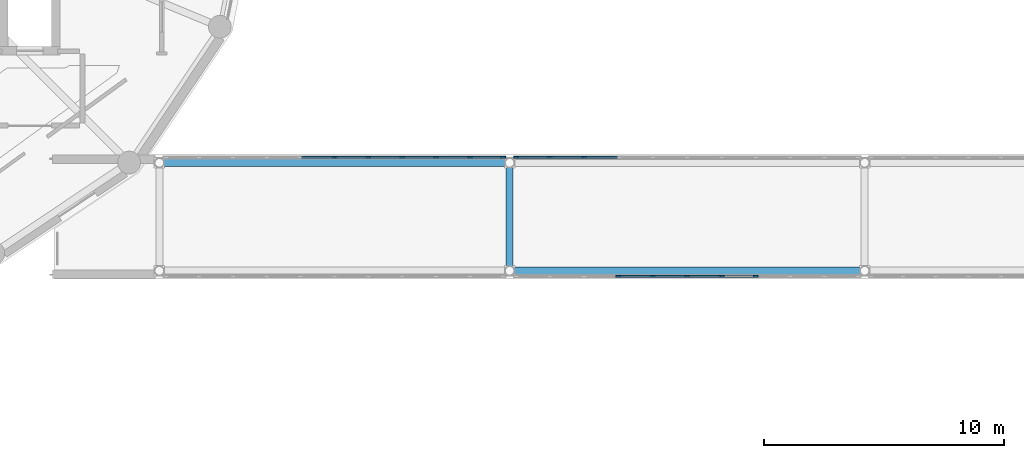
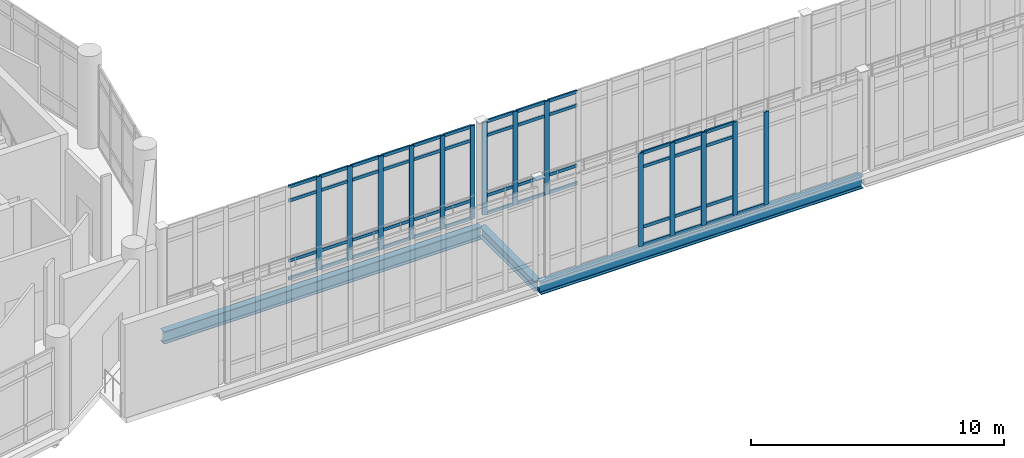
# One storey, part 20 of 89: 63 members, 3 beams, 3 elements without a shape of their own.
"""IFC4 building model written with IfcOpenShell, lengths in metres."""

from ifc_helpers import new_model, si_unit, direction, frame, origin, origin_2d, place, context, subcontext, project, spatial, rectangle, i_section, extrude, material, material_profile, profile_set, type_object, element, aggregate, save


model = new_model("IFC4")

# Units and contexts
model_context = context("Model", 3, precision=1e-05, world=origin(), true_north=direction((0.0, 1.0)))
body_context = subcontext(model_context, "Body", "Model", "MODEL_VIEW")
ifc_project = project(units=[si_unit("LENGTHUNIT", "METRE"), si_unit("AREAUNIT", "SQUARE_METRE"), si_unit("VOLUMEUNIT", "CUBIC_METRE"), si_unit("PLANEANGLEUNIT", "RADIAN"), si_unit("MASSUNIT", "GRAM", prefix="KILO")], contexts=[model_context])

# Site, building, storey
site_placement = place(None, origin())
site = spatial("IfcSite", under=ifc_project, at=site_placement, CompositionType="ELEMENT")
building_placement = place(site_placement, origin())
building = spatial("IfcBuilding", under=site, at=building_placement, Name="Soyqirgoq Riverine Aquarium", CompositionType="ELEMENT")
storey_placement = place(building_placement, frame((0.0, 0.0, 5.39990234375)))
storey = spatial("IfcBuildingStorey", under=building, at=storey_placement, Name="L02", CompositionType="ELEMENT", Elevation=5.39990234375)

# Curtain wall, members
ifc_material_1 = material(Name="Laminated solar-control bridge curtain wall", Category="aluminium")
curtain_wall_type = type_object("IfcCurtainWallType", Name="CW_Bridge_Concourse", PredefinedType="NOTDEFINED", material=ifc_material_1)
curtain_wall_1_placement = place(storey_placement, origin())
curtain_wall_1 = element("IfcCurtainWall", 1, at=curtain_wall_1_placement, inside=storey, type_object=curtain_wall_type, Name="BR-1 L02 Curtain Wall 136", PredefinedType="NOTDEFINED")
ifc_material_2 = material(Name="Anodised aluminium 6063-T6", Category="aluminium")
ifc_material_profile_1 = material_profile(ifc_material_2, rectangle(XDim=0.080078125, YDim=0.219970703125, at=origin_2d()), Name="ALU-M 80x220")
ifc_profile_set_1 = profile_set([ifc_material_profile_1], Name="Anodised aluminium 6063-T6")
member_type_1 = type_object("IfcMemberType", Name="CWMullion_80x220", PredefinedType="MULLION", material=ifc_profile_set_1)
member_1_placement = place(storey_placement, frame((88.736083984375, 39.919921875, 0.0), z_axis=(0.0, 0.0, 1.0), x_axis=(0.0, 1.0, 0.0)))
member_1 = element("IfcMember", 2, at=member_1_placement, type_object=member_type_1, Name="CW-06 mullion 4", PredefinedType="MULLION", context=body_context, shape_type="SweptSolid", body=[
    extrude(rectangle(XDim=0.080078125, YDim=0.219970703125, at=origin_2d()), origin(), (0.0, 0.0, 1.0), 4.5),
])
member_2_placement = place(storey_placement, frame((90.16796875, 39.919921875, 0.0), z_axis=(0.0, 0.0, 1.0), x_axis=(0.0, 1.0, 0.0)))
member_2 = element("IfcMember", 3, at=member_2_placement, type_object=member_type_1, Name="CW-06 mullion 5", PredefinedType="MULLION", context=body_context, shape_type="SweptSolid", body=[
    extrude(rectangle(XDim=0.080078125, YDim=0.219970703125, at=origin_2d()), origin(), (0.0, 0.0, 1.0), 4.5),
])
member_3_placement = place(storey_placement, frame((91.60009765625, 39.919921875, 0.0), z_axis=(0.0, 0.0, 1.0), x_axis=(0.0, 1.0, 0.0)))
member_3 = element("IfcMember", 4, at=member_3_placement, type_object=member_type_1, Name="CW-06 mullion 6", PredefinedType="MULLION", context=body_context, shape_type="SweptSolid", body=[
    extrude(rectangle(XDim=0.080078125, YDim=0.219970703125, at=origin_2d()), origin(), (0.0, 0.0, 1.0), 4.5),
])
member_4_placement = place(storey_placement, frame((93.031982421875, 39.919921875, 0.0), z_axis=(0.0, 0.0, 1.0), x_axis=(0.0, 1.0, 0.0)))
member_4 = element("IfcMember", 5, at=member_4_placement, type_object=member_type_1, Name="CW-06 mullion 7", PredefinedType="MULLION", context=body_context, shape_type="SweptSolid", body=[
    extrude(rectangle(XDim=0.080078125, YDim=0.219970703125, at=origin_2d()), origin(), (0.0, 0.0, 1.0), 4.5),
])
member_5_placement = place(storey_placement, frame((94.464111328125, 39.919921875, 0.0), z_axis=(0.0, 0.0, 1.0), x_axis=(0.0, 1.0, 0.0)))
member_5 = element("IfcMember", 6, at=member_5_placement, type_object=member_type_1, Name="CW-06 mullion 8", PredefinedType="MULLION", context=body_context, shape_type="SweptSolid", body=[
    extrude(rectangle(XDim=0.080078125, YDim=0.219970703125, at=origin_2d()), origin(), (0.0, 0.0, 1.0), 4.5),
])

curtain_wall_2_placement = place(storey_placement, origin())
curtain_wall_2 = element("IfcCurtainWall", 7, at=curtain_wall_2_placement, inside=storey, type_object=curtain_wall_type, Name="BR-1 L02 Curtain Wall 138", PredefinedType="NOTDEFINED")
member_6_placement = place(storey_placement, frame((76.89990234375, 44.8798828125, 0.0), z_axis=(0.0, 0.0, 1.0), x_axis=(0.0, 1.0, 0.0)))
member_6 = element("IfcMember", 8, at=member_6_placement, type_object=member_type_1, Name="CW-06 mullion 6", PredefinedType="MULLION", context=body_context, shape_type="SweptSolid", body=[
    extrude(rectangle(XDim=0.080078125, YDim=0.219970703125, at=origin_2d()), origin(), (0.0, 0.0, 1.0), 4.5),
])
member_7_placement = place(storey_placement, frame((78.31201171875, 44.8798828125, 0.0), z_axis=(0.0, 0.0, 1.0), x_axis=(0.0, 1.0, 0.0)))
member_7 = element("IfcMember", 9, at=member_7_placement, type_object=member_type_1, Name="CW-06 mullion 7", PredefinedType="MULLION", context=body_context, shape_type="SweptSolid", body=[
    extrude(rectangle(XDim=0.080078125, YDim=0.219970703125, at=origin_2d()), origin(), (0.0, 0.0, 1.0), 4.5),
])
member_8_placement = place(storey_placement, frame((79.72412109375, 44.8798828125, 0.0), z_axis=(0.0, 0.0, 1.0), x_axis=(0.0, 1.0, 0.0)))
member_8 = element("IfcMember", 10, at=member_8_placement, type_object=member_type_1, Name="CW-06 mullion 8", PredefinedType="MULLION", context=body_context, shape_type="SweptSolid", body=[
    extrude(rectangle(XDim=0.080078125, YDim=0.219970703125, at=origin_2d()), origin(), (0.0, 0.0, 1.0), 4.5),
])
member_9_placement = place(storey_placement, frame((81.135986328125, 44.8798828125, 0.0), z_axis=(0.0, 0.0, 1.0), x_axis=(0.0, 1.0, 0.0)))
member_9 = element("IfcMember", 11, at=member_9_placement, type_object=member_type_1, Name="CW-06 mullion 9", PredefinedType="MULLION", context=body_context, shape_type="SweptSolid", body=[
    extrude(rectangle(XDim=0.080078125, YDim=0.219970703125, at=origin_2d()), origin(), (0.0, 0.0, 1.0), 4.5),
])
member_10_placement = place(storey_placement, frame((82.548095703125, 44.8798828125, 0.0), z_axis=(0.0, 0.0, 1.0), x_axis=(0.0, 1.0, 0.0)))
member_10 = element("IfcMember", 12, at=member_10_placement, type_object=member_type_1, Name="CW-06 mullion 10", PredefinedType="MULLION", context=body_context, shape_type="SweptSolid", body=[
    extrude(rectangle(XDim=0.080078125, YDim=0.219970703125, at=origin_2d()), origin(), (0.0, 0.0, 1.0), 4.5),
])
member_11_placement = place(storey_placement, frame((83.919921875, 44.8798828125, 0.0), z_axis=(0.0, 0.0, 1.0), x_axis=(0.0, 1.0, 0.0)))
member_11 = element("IfcMember", 13, at=member_11_placement, type_object=member_type_1, Name="CW-06 mullion 11", PredefinedType="MULLION", context=body_context, shape_type="SweptSolid", body=[
    extrude(rectangle(XDim=0.080078125, YDim=0.219970703125, at=origin_2d()), origin(), (0.0, 0.0, 1.0), 4.5),
])

curtain_wall_3_placement = place(storey_placement, origin())
curtain_wall_3 = element("IfcCurtainWall", 14, at=curtain_wall_3_placement, inside=storey, type_object=curtain_wall_type, Name="BR-1 L02 Curtain Wall 139", PredefinedType="NOTDEFINED")
member_12_placement = place(storey_placement, frame((84.47998046875, 44.8798828125, 0.0), z_axis=(0.0, 0.0, 1.0), x_axis=(0.0, 1.0, 0.0)))
member_12 = element("IfcMember", 15, at=member_12_placement, type_object=member_type_1, Name="CW-06 mullion 1", PredefinedType="MULLION", context=body_context, shape_type="SweptSolid", body=[
    extrude(rectangle(XDim=0.080078125, YDim=0.219970703125, at=origin_2d()), origin(), (0.0, 0.0, 1.0), 4.5),
])
member_13_placement = place(storey_placement, frame((85.8720703125, 44.8798828125, 0.0), z_axis=(0.0, 0.0, 1.0), x_axis=(0.0, 1.0, 0.0)))
member_13 = element("IfcMember", 16, at=member_13_placement, type_object=member_type_1, Name="CW-06 mullion 2", PredefinedType="MULLION", context=body_context, shape_type="SweptSolid", body=[
    extrude(rectangle(XDim=0.080078125, YDim=0.219970703125, at=origin_2d()), origin(), (0.0, 0.0, 1.0), 4.5),
])
member_14_placement = place(storey_placement, frame((87.303955078125, 44.8798828125, 0.0), z_axis=(0.0, 0.0, 1.0), x_axis=(0.0, 1.0, 0.0)))
member_14 = element("IfcMember", 17, at=member_14_placement, type_object=member_type_1, Name="CW-06 mullion 3", PredefinedType="MULLION", context=body_context, shape_type="SweptSolid", body=[
    extrude(rectangle(XDim=0.080078125, YDim=0.219970703125, at=origin_2d()), origin(), (0.0, 0.0, 1.0), 4.5),
])

# Member
ifc_material_3 = material(Name="Anodised aluminium 6063-T6", Category="aluminium")
ifc_material_profile_2 = material_profile(ifc_material_3, rectangle(XDim=0.074951171875, YDim=0.14990234375, at=origin_2d()), Name="ALU-T 75x150")
ifc_profile_set_2 = profile_set([ifc_material_profile_2], Name="Anodised aluminium 6063-T6")
member_type_2 = type_object("IfcMemberType", Name="CWTransom_75x150", PredefinedType="USERDEFINED", material=ifc_profile_set_2)
member_15_placement = place(storey_placement, frame((88.77587890625, 39.919921875, 0.03759765625), z_axis=(1.0, 0.0, 0.0), x_axis=(0.0, 1.0, 0.0)))
member_15 = element("IfcMember", 18, at=member_15_placement, type_object=member_type_2, Name="CW-06 transom 4.1", ObjectType="TRANSOM", PredefinedType="USERDEFINED", context=body_context, shape_type="SweptSolid", body=[
    extrude(rectangle(XDim=0.074951171875, YDim=0.14990234375, at=origin_2d()), origin(), (0.0, 0.0, 1.0), 1.35205078125),
])

member_16_placement = place(storey_placement, frame((88.77587890625, 39.919921875, 0.900146484375), z_axis=(1.0, 0.0, 0.0), x_axis=(0.0, 1.0, 0.0)))
member_16 = element("IfcMember", 19, at=member_16_placement, type_object=member_type_2, Name="CW-06 transom 4.2", ObjectType="TRANSOM", PredefinedType="USERDEFINED", context=body_context, shape_type="SweptSolid", body=[
    extrude(rectangle(XDim=0.074951171875, YDim=0.14990234375, at=origin_2d()), origin(), (0.0, 0.0, 1.0), 1.35205078125),
])

member_17_placement = place(storey_placement, frame((88.77587890625, 39.919921875, 3.800048828125), z_axis=(1.0, 0.0, 0.0), x_axis=(0.0, 1.0, 0.0)))
member_17 = element("IfcMember", 20, at=member_17_placement, type_object=member_type_2, Name="CW-06 transom 4.3", ObjectType="TRANSOM", PredefinedType="USERDEFINED", context=body_context, shape_type="SweptSolid", body=[
    extrude(rectangle(XDim=0.074951171875, YDim=0.14990234375, at=origin_2d()), origin(), (0.0, 0.0, 1.0), 1.35205078125),
])

member_18_placement = place(storey_placement, frame((88.77587890625, 39.919921875, 4.462646484375), z_axis=(1.0, 0.0, 0.0), x_axis=(0.0, 1.0, 0.0)))
member_18 = element("IfcMember", 21, at=member_18_placement, type_object=member_type_2, Name="CW-06 transom 4.4", ObjectType="TRANSOM", PredefinedType="USERDEFINED", context=body_context, shape_type="SweptSolid", body=[
    extrude(rectangle(XDim=0.074951171875, YDim=0.14990234375, at=origin_2d()), origin(), (0.0, 0.0, 1.0), 1.35205078125),
])

member_19_placement = place(storey_placement, frame((90.2080078125, 39.919921875, 0.03759765625), z_axis=(1.0, 0.0, 0.0), x_axis=(0.0, 1.0, 0.0)))
member_19 = element("IfcMember", 22, at=member_19_placement, type_object=member_type_2, Name="CW-06 transom 5.1", ObjectType="TRANSOM", PredefinedType="USERDEFINED", context=body_context, shape_type="SweptSolid", body=[
    extrude(rectangle(XDim=0.074951171875, YDim=0.14990234375, at=origin_2d()), origin(), (0.0, 0.0, 1.0), 1.35205078125),
])

member_20_placement = place(storey_placement, frame((90.2080078125, 39.919921875, 0.900146484375), z_axis=(1.0, 0.0, 0.0), x_axis=(0.0, 1.0, 0.0)))
member_20 = element("IfcMember", 23, at=member_20_placement, type_object=member_type_2, Name="CW-06 transom 5.2", ObjectType="TRANSOM", PredefinedType="USERDEFINED", context=body_context, shape_type="SweptSolid", body=[
    extrude(rectangle(XDim=0.074951171875, YDim=0.14990234375, at=origin_2d()), origin(), (0.0, 0.0, 1.0), 1.35205078125),
])

member_21_placement = place(storey_placement, frame((90.2080078125, 39.919921875, 3.800048828125), z_axis=(1.0, 0.0, 0.0), x_axis=(0.0, 1.0, 0.0)))
member_21 = element("IfcMember", 24, at=member_21_placement, type_object=member_type_2, Name="CW-06 transom 5.3", ObjectType="TRANSOM", PredefinedType="USERDEFINED", context=body_context, shape_type="SweptSolid", body=[
    extrude(rectangle(XDim=0.074951171875, YDim=0.14990234375, at=origin_2d()), origin(), (0.0, 0.0, 1.0), 1.35205078125),
])

member_22_placement = place(storey_placement, frame((90.2080078125, 39.919921875, 4.462646484375), z_axis=(1.0, 0.0, 0.0), x_axis=(0.0, 1.0, 0.0)))
member_22 = element("IfcMember", 25, at=member_22_placement, type_object=member_type_2, Name="CW-06 transom 5.4", ObjectType="TRANSOM", PredefinedType="USERDEFINED", context=body_context, shape_type="SweptSolid", body=[
    extrude(rectangle(XDim=0.074951171875, YDim=0.14990234375, at=origin_2d()), origin(), (0.0, 0.0, 1.0), 1.35205078125),
])

member_23_placement = place(storey_placement, frame((91.639892578125, 39.919921875, 0.03759765625), z_axis=(1.0, 0.0, 0.0), x_axis=(0.0, 1.0, 0.0)))
member_23 = element("IfcMember", 26, at=member_23_placement, type_object=member_type_2, Name="CW-06 transom 6.1", ObjectType="TRANSOM", PredefinedType="USERDEFINED", context=body_context, shape_type="SweptSolid", body=[
    extrude(rectangle(XDim=0.074951171875, YDim=0.14990234375, at=origin_2d()), origin(), (0.0, 0.0, 1.0), 1.35205078125),
])

member_24_placement = place(storey_placement, frame((91.639892578125, 39.919921875, 0.900146484375), z_axis=(1.0, 0.0, 0.0), x_axis=(0.0, 1.0, 0.0)))
member_24 = element("IfcMember", 27, at=member_24_placement, type_object=member_type_2, Name="CW-06 transom 6.2", ObjectType="TRANSOM", PredefinedType="USERDEFINED", context=body_context, shape_type="SweptSolid", body=[
    extrude(rectangle(XDim=0.074951171875, YDim=0.14990234375, at=origin_2d()), origin(), (0.0, 0.0, 1.0), 1.35205078125),
])

member_25_placement = place(storey_placement, frame((91.639892578125, 39.919921875, 3.800048828125), z_axis=(1.0, 0.0, 0.0), x_axis=(0.0, 1.0, 0.0)))
member_25 = element("IfcMember", 28, at=member_25_placement, type_object=member_type_2, Name="CW-06 transom 6.3", ObjectType="TRANSOM", PredefinedType="USERDEFINED", context=body_context, shape_type="SweptSolid", body=[
    extrude(rectangle(XDim=0.074951171875, YDim=0.14990234375, at=origin_2d()), origin(), (0.0, 0.0, 1.0), 1.35205078125),
])

member_26_placement = place(storey_placement, frame((91.639892578125, 39.919921875, 4.462646484375), z_axis=(1.0, 0.0, 0.0), x_axis=(0.0, 1.0, 0.0)))
member_26 = element("IfcMember", 29, at=member_26_placement, type_object=member_type_2, Name="CW-06 transom 6.4", ObjectType="TRANSOM", PredefinedType="USERDEFINED", context=body_context, shape_type="SweptSolid", body=[
    extrude(rectangle(XDim=0.074951171875, YDim=0.14990234375, at=origin_2d()), origin(), (0.0, 0.0, 1.0), 1.35205078125),
])

member_27_placement = place(storey_placement, frame((93.072021484375, 39.919921875, 0.03759765625), z_axis=(1.0, 0.0, 0.0), x_axis=(0.0, 1.0, 0.0)))
member_27 = element("IfcMember", 30, at=member_27_placement, type_object=member_type_2, Name="CW-06 transom 7.1", ObjectType="TRANSOM", PredefinedType="USERDEFINED", context=body_context, shape_type="SweptSolid", body=[
    extrude(rectangle(XDim=0.074951171875, YDim=0.14990234375, at=origin_2d()), origin(), (0.0, 0.0, 1.0), 1.35205078125),
])

aggregate(curtain_wall_1, [member_1, member_2, member_3, member_4, member_5, member_15, member_16, member_17, member_18, member_19, member_20, member_21, member_22, member_23, member_24, member_25, member_26, member_27])

member_28_placement = place(storey_placement, frame((75.528076171875, 44.8798828125, 0.03759765625), z_axis=(1.0, 0.0, 0.0), x_axis=(0.0, 1.0, 0.0)))
member_28 = element("IfcMember", 31, at=member_28_placement, type_object=member_type_2, Name="CW-06 transom 5.1", ObjectType="TRANSOM", PredefinedType="USERDEFINED", context=body_context, shape_type="SweptSolid", body=[
    extrude(rectangle(XDim=0.074951171875, YDim=0.14990234375, at=origin_2d()), origin(), (0.0, 0.0, 1.0), 1.33203125),
])

member_29_placement = place(storey_placement, frame((75.528076171875, 44.8798828125, 0.900146484375), z_axis=(1.0, 0.0, 0.0), x_axis=(0.0, 1.0, 0.0)))
member_29 = element("IfcMember", 32, at=member_29_placement, type_object=member_type_2, Name="CW-06 transom 5.2", ObjectType="TRANSOM", PredefinedType="USERDEFINED", context=body_context, shape_type="SweptSolid", body=[
    extrude(rectangle(XDim=0.074951171875, YDim=0.14990234375, at=origin_2d()), origin(), (0.0, 0.0, 1.0), 1.33203125),
])

member_30_placement = place(storey_placement, frame((75.528076171875, 44.8798828125, 3.800048828125), z_axis=(1.0, 0.0, 0.0), x_axis=(0.0, 1.0, 0.0)))
member_30 = element("IfcMember", 33, at=member_30_placement, type_object=member_type_2, Name="CW-06 transom 5.3", ObjectType="TRANSOM", PredefinedType="USERDEFINED", context=body_context, shape_type="SweptSolid", body=[
    extrude(rectangle(XDim=0.074951171875, YDim=0.14990234375, at=origin_2d()), origin(), (0.0, 0.0, 1.0), 1.33203125),
])

member_31_placement = place(storey_placement, frame((75.528076171875, 44.8798828125, 4.462646484375), z_axis=(1.0, 0.0, 0.0), x_axis=(0.0, 1.0, 0.0)))
member_31 = element("IfcMember", 34, at=member_31_placement, type_object=member_type_2, Name="CW-06 transom 5.4", ObjectType="TRANSOM", PredefinedType="USERDEFINED", context=body_context, shape_type="SweptSolid", body=[
    extrude(rectangle(XDim=0.074951171875, YDim=0.14990234375, at=origin_2d()), origin(), (0.0, 0.0, 1.0), 1.33203125),
])

member_32_placement = place(storey_placement, frame((76.93994140625, 44.8798828125, 0.03759765625), z_axis=(1.0, 0.0, 0.0), x_axis=(0.0, 1.0, 0.0)))
member_32 = element("IfcMember", 35, at=member_32_placement, type_object=member_type_2, Name="CW-06 transom 6.1", ObjectType="TRANSOM", PredefinedType="USERDEFINED", context=body_context, shape_type="SweptSolid", body=[
    extrude(rectangle(XDim=0.074951171875, YDim=0.14990234375, at=origin_2d()), origin(), (0.0, 0.0, 1.0), 1.33203125),
])

member_33_placement = place(storey_placement, frame((76.93994140625, 44.8798828125, 0.900146484375), z_axis=(1.0, 0.0, 0.0), x_axis=(0.0, 1.0, 0.0)))
member_33 = element("IfcMember", 36, at=member_33_placement, type_object=member_type_2, Name="CW-06 transom 6.2", ObjectType="TRANSOM", PredefinedType="USERDEFINED", context=body_context, shape_type="SweptSolid", body=[
    extrude(rectangle(XDim=0.074951171875, YDim=0.14990234375, at=origin_2d()), origin(), (0.0, 0.0, 1.0), 1.33203125),
])

member_34_placement = place(storey_placement, frame((76.93994140625, 44.8798828125, 3.800048828125), z_axis=(1.0, 0.0, 0.0), x_axis=(0.0, 1.0, 0.0)))
member_34 = element("IfcMember", 37, at=member_34_placement, type_object=member_type_2, Name="CW-06 transom 6.3", ObjectType="TRANSOM", PredefinedType="USERDEFINED", context=body_context, shape_type="SweptSolid", body=[
    extrude(rectangle(XDim=0.074951171875, YDim=0.14990234375, at=origin_2d()), origin(), (0.0, 0.0, 1.0), 1.33203125),
])

member_35_placement = place(storey_placement, frame((76.93994140625, 44.8798828125, 4.462646484375), z_axis=(1.0, 0.0, 0.0), x_axis=(0.0, 1.0, 0.0)))
member_35 = element("IfcMember", 38, at=member_35_placement, type_object=member_type_2, Name="CW-06 transom 6.4", ObjectType="TRANSOM", PredefinedType="USERDEFINED", context=body_context, shape_type="SweptSolid", body=[
    extrude(rectangle(XDim=0.074951171875, YDim=0.14990234375, at=origin_2d()), origin(), (0.0, 0.0, 1.0), 1.33203125),
])

member_36_placement = place(storey_placement, frame((78.35205078125, 44.8798828125, 0.03759765625), z_axis=(1.0, 0.0, 0.0), x_axis=(0.0, 1.0, 0.0)))
member_36 = element("IfcMember", 39, at=member_36_placement, type_object=member_type_2, Name="CW-06 transom 7.1", ObjectType="TRANSOM", PredefinedType="USERDEFINED", context=body_context, shape_type="SweptSolid", body=[
    extrude(rectangle(XDim=0.074951171875, YDim=0.14990234375, at=origin_2d()), origin(), (0.0, 0.0, 1.0), 1.33203125),
])

member_37_placement = place(storey_placement, frame((78.35205078125, 44.8798828125, 0.900146484375), z_axis=(1.0, 0.0, 0.0), x_axis=(0.0, 1.0, 0.0)))
member_37 = element("IfcMember", 40, at=member_37_placement, type_object=member_type_2, Name="CW-06 transom 7.2", ObjectType="TRANSOM", PredefinedType="USERDEFINED", context=body_context, shape_type="SweptSolid", body=[
    extrude(rectangle(XDim=0.074951171875, YDim=0.14990234375, at=origin_2d()), origin(), (0.0, 0.0, 1.0), 1.33203125),
])

member_38_placement = place(storey_placement, frame((78.35205078125, 44.8798828125, 3.800048828125), z_axis=(1.0, 0.0, 0.0), x_axis=(0.0, 1.0, 0.0)))
member_38 = element("IfcMember", 41, at=member_38_placement, type_object=member_type_2, Name="CW-06 transom 7.3", ObjectType="TRANSOM", PredefinedType="USERDEFINED", context=body_context, shape_type="SweptSolid", body=[
    extrude(rectangle(XDim=0.074951171875, YDim=0.14990234375, at=origin_2d()), origin(), (0.0, 0.0, 1.0), 1.33203125),
])

member_39_placement = place(storey_placement, frame((78.35205078125, 44.8798828125, 4.462646484375), z_axis=(1.0, 0.0, 0.0), x_axis=(0.0, 1.0, 0.0)))
member_39 = element("IfcMember", 42, at=member_39_placement, type_object=member_type_2, Name="CW-06 transom 7.4", ObjectType="TRANSOM", PredefinedType="USERDEFINED", context=body_context, shape_type="SweptSolid", body=[
    extrude(rectangle(XDim=0.074951171875, YDim=0.14990234375, at=origin_2d()), origin(), (0.0, 0.0, 1.0), 1.33203125),
])

member_40_placement = place(storey_placement, frame((79.763916015625, 44.8798828125, 0.03759765625), z_axis=(1.0, 0.0, 0.0), x_axis=(0.0, 1.0, 0.0)))
member_40 = element("IfcMember", 43, at=member_40_placement, type_object=member_type_2, Name="CW-06 transom 8.1", ObjectType="TRANSOM", PredefinedType="USERDEFINED", context=body_context, shape_type="SweptSolid", body=[
    extrude(rectangle(XDim=0.074951171875, YDim=0.14990234375, at=origin_2d()), origin(), (0.0, 0.0, 1.0), 1.33203125),
])

member_41_placement = place(storey_placement, frame((79.763916015625, 44.8798828125, 0.900146484375), z_axis=(1.0, 0.0, 0.0), x_axis=(0.0, 1.0, 0.0)))
member_41 = element("IfcMember", 44, at=member_41_placement, type_object=member_type_2, Name="CW-06 transom 8.2", ObjectType="TRANSOM", PredefinedType="USERDEFINED", context=body_context, shape_type="SweptSolid", body=[
    extrude(rectangle(XDim=0.074951171875, YDim=0.14990234375, at=origin_2d()), origin(), (0.0, 0.0, 1.0), 1.33203125),
])

member_42_placement = place(storey_placement, frame((79.763916015625, 44.8798828125, 3.800048828125), z_axis=(1.0, 0.0, 0.0), x_axis=(0.0, 1.0, 0.0)))
member_42 = element("IfcMember", 45, at=member_42_placement, type_object=member_type_2, Name="CW-06 transom 8.3", ObjectType="TRANSOM", PredefinedType="USERDEFINED", context=body_context, shape_type="SweptSolid", body=[
    extrude(rectangle(XDim=0.074951171875, YDim=0.14990234375, at=origin_2d()), origin(), (0.0, 0.0, 1.0), 1.33203125),
])

member_43_placement = place(storey_placement, frame((79.763916015625, 44.8798828125, 4.462646484375), z_axis=(1.0, 0.0, 0.0), x_axis=(0.0, 1.0, 0.0)))
member_43 = element("IfcMember", 46, at=member_43_placement, type_object=member_type_2, Name="CW-06 transom 8.4", ObjectType="TRANSOM", PredefinedType="USERDEFINED", context=body_context, shape_type="SweptSolid", body=[
    extrude(rectangle(XDim=0.074951171875, YDim=0.14990234375, at=origin_2d()), origin(), (0.0, 0.0, 1.0), 1.33203125),
])

member_44_placement = place(storey_placement, frame((81.176025390625, 44.8798828125, 0.03759765625), z_axis=(1.0, 0.0, 0.0), x_axis=(0.0, 1.0, 0.0)))
member_44 = element("IfcMember", 47, at=member_44_placement, type_object=member_type_2, Name="CW-06 transom 9.1", ObjectType="TRANSOM", PredefinedType="USERDEFINED", context=body_context, shape_type="SweptSolid", body=[
    extrude(rectangle(XDim=0.074951171875, YDim=0.14990234375, at=origin_2d()), origin(), (0.0, 0.0, 1.0), 1.33203125),
])

member_45_placement = place(storey_placement, frame((81.176025390625, 44.8798828125, 0.900146484375), z_axis=(1.0, 0.0, 0.0), x_axis=(0.0, 1.0, 0.0)))
member_45 = element("IfcMember", 48, at=member_45_placement, type_object=member_type_2, Name="CW-06 transom 9.2", ObjectType="TRANSOM", PredefinedType="USERDEFINED", context=body_context, shape_type="SweptSolid", body=[
    extrude(rectangle(XDim=0.074951171875, YDim=0.14990234375, at=origin_2d()), origin(), (0.0, 0.0, 1.0), 1.33203125),
])

member_46_placement = place(storey_placement, frame((81.176025390625, 44.8798828125, 3.800048828125), z_axis=(1.0, 0.0, 0.0), x_axis=(0.0, 1.0, 0.0)))
member_46 = element("IfcMember", 49, at=member_46_placement, type_object=member_type_2, Name="CW-06 transom 9.3", ObjectType="TRANSOM", PredefinedType="USERDEFINED", context=body_context, shape_type="SweptSolid", body=[
    extrude(rectangle(XDim=0.074951171875, YDim=0.14990234375, at=origin_2d()), origin(), (0.0, 0.0, 1.0), 1.33203125),
])

member_47_placement = place(storey_placement, frame((81.176025390625, 44.8798828125, 4.462646484375), z_axis=(1.0, 0.0, 0.0), x_axis=(0.0, 1.0, 0.0)))
member_47 = element("IfcMember", 50, at=member_47_placement, type_object=member_type_2, Name="CW-06 transom 9.4", ObjectType="TRANSOM", PredefinedType="USERDEFINED", context=body_context, shape_type="SweptSolid", body=[
    extrude(rectangle(XDim=0.074951171875, YDim=0.14990234375, at=origin_2d()), origin(), (0.0, 0.0, 1.0), 1.33203125),
])

member_48_placement = place(storey_placement, frame((82.587890625, 44.8798828125, 0.03759765625), z_axis=(1.0, 0.0, 0.0), x_axis=(0.0, 1.0, 0.0)))
member_48 = element("IfcMember", 51, at=member_48_placement, type_object=member_type_2, Name="CW-06 transom 10.1", ObjectType="TRANSOM", PredefinedType="USERDEFINED", context=body_context, shape_type="SweptSolid", body=[
    extrude(rectangle(XDim=0.074951171875, YDim=0.14990234375, at=origin_2d()), origin(), (0.0, 0.0, 1.0), 1.2919921875),
])

member_49_placement = place(storey_placement, frame((82.587890625, 44.8798828125, 0.900146484375), z_axis=(1.0, 0.0, 0.0), x_axis=(0.0, 1.0, 0.0)))
member_49 = element("IfcMember", 52, at=member_49_placement, type_object=member_type_2, Name="CW-06 transom 10.2", ObjectType="TRANSOM", PredefinedType="USERDEFINED", context=body_context, shape_type="SweptSolid", body=[
    extrude(rectangle(XDim=0.074951171875, YDim=0.14990234375, at=origin_2d()), origin(), (0.0, 0.0, 1.0), 1.2919921875),
])

member_50_placement = place(storey_placement, frame((82.587890625, 44.8798828125, 3.800048828125), z_axis=(1.0, 0.0, 0.0), x_axis=(0.0, 1.0, 0.0)))
member_50 = element("IfcMember", 53, at=member_50_placement, type_object=member_type_2, Name="CW-06 transom 10.3", ObjectType="TRANSOM", PredefinedType="USERDEFINED", context=body_context, shape_type="SweptSolid", body=[
    extrude(rectangle(XDim=0.074951171875, YDim=0.14990234375, at=origin_2d()), origin(), (0.0, 0.0, 1.0), 1.2919921875),
])

member_51_placement = place(storey_placement, frame((82.587890625, 44.8798828125, 4.462646484375), z_axis=(1.0, 0.0, 0.0), x_axis=(0.0, 1.0, 0.0)))
member_51 = element("IfcMember", 54, at=member_51_placement, type_object=member_type_2, Name="CW-06 transom 10.4", ObjectType="TRANSOM", PredefinedType="USERDEFINED", context=body_context, shape_type="SweptSolid", body=[
    extrude(rectangle(XDim=0.074951171875, YDim=0.14990234375, at=origin_2d()), origin(), (0.0, 0.0, 1.0), 1.2919921875),
])

aggregate(curtain_wall_2, [member_6, member_7, member_8, member_9, member_10, member_11, member_28, member_29, member_30, member_31, member_32, member_33, member_34, member_35, member_36, member_37, member_38, member_39, member_40, member_41, member_42, member_43, member_44, member_45, member_46, member_47, member_48, member_49, member_50, member_51])

member_52_placement = place(storey_placement, frame((84.52001953125, 44.8798828125, 0.03759765625), z_axis=(1.0, 0.0, 0.0), x_axis=(0.0, 1.0, 0.0)))
member_52 = element("IfcMember", 55, at=member_52_placement, type_object=member_type_2, Name="CW-06 transom 1.1", ObjectType="TRANSOM", PredefinedType="USERDEFINED", context=body_context, shape_type="SweptSolid", body=[
    extrude(rectangle(XDim=0.074951171875, YDim=0.14990234375, at=origin_2d()), origin(), (0.0, 0.0, 1.0), 1.31201171875),
])

member_53_placement = place(storey_placement, frame((84.52001953125, 44.8798828125, 0.900146484375), z_axis=(1.0, 0.0, 0.0), x_axis=(0.0, 1.0, 0.0)))
member_53 = element("IfcMember", 56, at=member_53_placement, type_object=member_type_2, Name="CW-06 transom 1.2", ObjectType="TRANSOM", PredefinedType="USERDEFINED", context=body_context, shape_type="SweptSolid", body=[
    extrude(rectangle(XDim=0.074951171875, YDim=0.14990234375, at=origin_2d()), origin(), (0.0, 0.0, 1.0), 1.31201171875),
])

member_54_placement = place(storey_placement, frame((84.52001953125, 44.8798828125, 3.800048828125), z_axis=(1.0, 0.0, 0.0), x_axis=(0.0, 1.0, 0.0)))
member_54 = element("IfcMember", 57, at=member_54_placement, type_object=member_type_2, Name="CW-06 transom 1.3", ObjectType="TRANSOM", PredefinedType="USERDEFINED", context=body_context, shape_type="SweptSolid", body=[
    extrude(rectangle(XDim=0.074951171875, YDim=0.14990234375, at=origin_2d()), origin(), (0.0, 0.0, 1.0), 1.31201171875),
])

member_55_placement = place(storey_placement, frame((84.52001953125, 44.8798828125, 4.462646484375), z_axis=(1.0, 0.0, 0.0), x_axis=(0.0, 1.0, 0.0)))
member_55 = element("IfcMember", 58, at=member_55_placement, type_object=member_type_2, Name="CW-06 transom 1.4", ObjectType="TRANSOM", PredefinedType="USERDEFINED", context=body_context, shape_type="SweptSolid", body=[
    extrude(rectangle(XDim=0.074951171875, YDim=0.14990234375, at=origin_2d()), origin(), (0.0, 0.0, 1.0), 1.31201171875),
])

member_56_placement = place(storey_placement, frame((85.912109375, 44.8798828125, 0.03759765625), z_axis=(1.0, 0.0, 0.0), x_axis=(0.0, 1.0, 0.0)))
member_56 = element("IfcMember", 59, at=member_56_placement, type_object=member_type_2, Name="CW-06 transom 2.1", ObjectType="TRANSOM", PredefinedType="USERDEFINED", context=body_context, shape_type="SweptSolid", body=[
    extrude(rectangle(XDim=0.074951171875, YDim=0.14990234375, at=origin_2d()), origin(), (0.0, 0.0, 1.0), 1.351806640625),
])

member_57_placement = place(storey_placement, frame((85.912109375, 44.8798828125, 0.900146484375), z_axis=(1.0, 0.0, 0.0), x_axis=(0.0, 1.0, 0.0)))
member_57 = element("IfcMember", 60, at=member_57_placement, type_object=member_type_2, Name="CW-06 transom 2.2", ObjectType="TRANSOM", PredefinedType="USERDEFINED", context=body_context, shape_type="SweptSolid", body=[
    extrude(rectangle(XDim=0.074951171875, YDim=0.14990234375, at=origin_2d()), origin(), (0.0, 0.0, 1.0), 1.351806640625),
])

member_58_placement = place(storey_placement, frame((85.912109375, 44.8798828125, 3.800048828125), z_axis=(1.0, 0.0, 0.0), x_axis=(0.0, 1.0, 0.0)))
member_58 = element("IfcMember", 61, at=member_58_placement, type_object=member_type_2, Name="CW-06 transom 2.3", ObjectType="TRANSOM", PredefinedType="USERDEFINED", context=body_context, shape_type="SweptSolid", body=[
    extrude(rectangle(XDim=0.074951171875, YDim=0.14990234375, at=origin_2d()), origin(), (0.0, 0.0, 1.0), 1.351806640625),
])

member_59_placement = place(storey_placement, frame((85.912109375, 44.8798828125, 4.462646484375), z_axis=(1.0, 0.0, 0.0), x_axis=(0.0, 1.0, 0.0)))
member_59 = element("IfcMember", 62, at=member_59_placement, type_object=member_type_2, Name="CW-06 transom 2.4", ObjectType="TRANSOM", PredefinedType="USERDEFINED", context=body_context, shape_type="SweptSolid", body=[
    extrude(rectangle(XDim=0.074951171875, YDim=0.14990234375, at=origin_2d()), origin(), (0.0, 0.0, 1.0), 1.351806640625),
])

member_60_placement = place(storey_placement, frame((87.343994140625, 44.8798828125, 0.03759765625), z_axis=(1.0, 0.0, 0.0), x_axis=(0.0, 1.0, 0.0)))
member_60 = element("IfcMember", 63, at=member_60_placement, type_object=member_type_2, Name="CW-06 transom 3.1", ObjectType="TRANSOM", PredefinedType="USERDEFINED", context=body_context, shape_type="SweptSolid", body=[
    extrude(rectangle(XDim=0.074951171875, YDim=0.14990234375, at=origin_2d()), origin(), (0.0, 0.0, 1.0), 1.35205078125),
])

member_61_placement = place(storey_placement, frame((87.343994140625, 44.8798828125, 0.900146484375), z_axis=(1.0, 0.0, 0.0), x_axis=(0.0, 1.0, 0.0)))
member_61 = element("IfcMember", 64, at=member_61_placement, type_object=member_type_2, Name="CW-06 transom 3.2", ObjectType="TRANSOM", PredefinedType="USERDEFINED", context=body_context, shape_type="SweptSolid", body=[
    extrude(rectangle(XDim=0.074951171875, YDim=0.14990234375, at=origin_2d()), origin(), (0.0, 0.0, 1.0), 1.35205078125),
])

member_62_placement = place(storey_placement, frame((87.343994140625, 44.8798828125, 3.800048828125), z_axis=(1.0, 0.0, 0.0), x_axis=(0.0, 1.0, 0.0)))
member_62 = element("IfcMember", 65, at=member_62_placement, type_object=member_type_2, Name="CW-06 transom 3.3", ObjectType="TRANSOM", PredefinedType="USERDEFINED", context=body_context, shape_type="SweptSolid", body=[
    extrude(rectangle(XDim=0.074951171875, YDim=0.14990234375, at=origin_2d()), origin(), (0.0, 0.0, 1.0), 1.35205078125),
])

member_63_placement = place(storey_placement, frame((87.343994140625, 44.8798828125, 4.462646484375), z_axis=(1.0, 0.0, 0.0), x_axis=(0.0, 1.0, 0.0)))
member_63 = element("IfcMember", 66, at=member_63_placement, type_object=member_type_2, Name="CW-06 transom 3.4", ObjectType="TRANSOM", PredefinedType="USERDEFINED", context=body_context, shape_type="SweptSolid", body=[
    extrude(rectangle(XDim=0.074951171875, YDim=0.14990234375, at=origin_2d()), origin(), (0.0, 0.0, 1.0), 1.35205078125),
])

aggregate(curtain_wall_3, [member_12, member_13, member_14, member_52, member_53, member_54, member_55, member_56, member_57, member_58, member_59, member_60, member_61, member_62, member_63])

# Beams
ifc_material_4 = material(Name="Structural steel S355", Category="steel")
ifc_material_profile_3 = material_profile(ifc_material_4, i_section(OverallWidth=0.300048828125, OverallDepth=0.489990234375, WebThickness=0.011962890625, FlangeThickness=0.02294921875, FilletRadius=0.027099609375, at=origin_2d()), Name="HEA 500")
ifc_profile_set_3 = profile_set([ifc_material_profile_3], Name="Structural steel S355")
beam_type_1 = type_object("IfcBeamType", Name="SteelBeam_HEA500", PredefinedType="BEAM", material=ifc_profile_set_3)
beam_1_placement = place(storey_placement, frame((84.199951171875, 40.199951171875, -0.494873046875), z_axis=(0.0, 1.0, 0.0), x_axis=(-1.0, 0.0, 0.0)))
element("IfcBeam", 67, at=beam_1_placement, inside=storey, type_object=beam_type_1, Name="BR-1 L02 Bridge Cross Transom 1444", PredefinedType="BEAM", context=body_context, shape_type="SweptSolid", body=[
    extrude(i_section(OverallWidth=0.300048828125, OverallDepth=0.489990234375, WebThickness=0.011962890625, FlangeThickness=0.02294921875, FilletRadius=0.027099609375, at=origin_2d()), origin(), (0.0, 0.0, 1.0), 4.400146484375),
])
ifc_material_5 = material(Name="Structural steel S355", Category="steel")
ifc_material_profile_4 = material_profile(ifc_material_5, i_section(OverallWidth=0.300048828125, OverallDepth=0.60009765625, WebThickness=0.015380859375, FlangeThickness=0.030029296875, FilletRadius=0.027099609375, at=origin_2d()), Name="HEB 600")
ifc_profile_set_4 = profile_set([ifc_material_profile_4], Name="Structural steel S355")
beam_type_2 = type_object("IfcBeamType", Name="SteelGirder_HEB600", PredefinedType="BEAM", material=ifc_profile_set_4)
beam_2_placement = place(storey_placement, frame((84.25, 40.14990234375, -0.5498046875), z_axis=(1.0, 0.0, 0.0), x_axis=(0.0, 1.0, 0.0)))
element("IfcBeam", 68, at=beam_2_placement, inside=storey, type_object=beam_type_2, Name="BR-1 L02 Bridge Deck Longitudinal Girder 1429", PredefinedType="BEAM", context=body_context, shape_type="SweptSolid", body=[
    extrude(i_section(OverallWidth=0.300048828125, OverallDepth=0.60009765625, WebThickness=0.015380859375, FlangeThickness=0.030029296875, FilletRadius=0.027099609375, at=origin_2d()), origin(), (0.0, 0.0, 1.0), 14.699951171875),
])
beam_3_placement = place(storey_placement, frame((69.64990234375, 44.64990234375, -0.5498046875), z_axis=(1.0, 0.0, 0.0), x_axis=(0.0, 1.0, 0.0)))
element("IfcBeam", 69, at=beam_3_placement, inside=storey, type_object=beam_type_2, Name="BR-1 L02 Bridge Deck Longitudinal Girder 1433", PredefinedType="BEAM", context=body_context, shape_type="SweptSolid", body=[
    extrude(i_section(OverallWidth=0.300048828125, OverallDepth=0.60009765625, WebThickness=0.015380859375, FlangeThickness=0.030029296875, FilletRadius=0.027099609375, at=origin_2d()), origin(), (0.0, 0.0, 1.0), 14.5),
])

save(model, "model.ifc")
